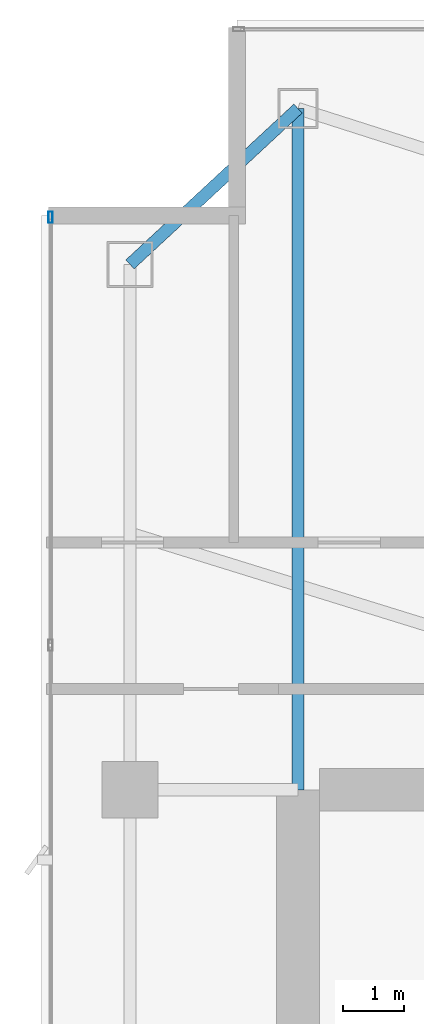
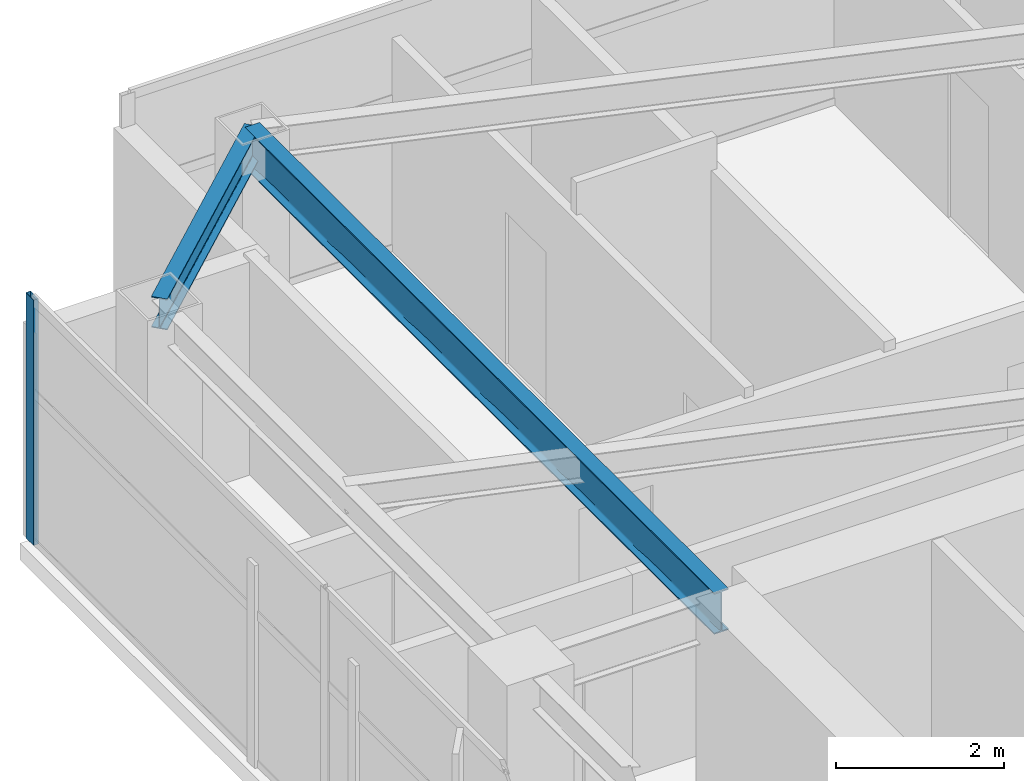
# One storey, part 17 of 29: 2 beams, 1 member, 1 element without a shape of its own.
"""IFC4 building model written with IfcOpenShell, lengths in metres."""

from ifc_helpers import new_model, si_unit, direction, frame, origin, origin_2d, place, context, subcontext, project, spatial, hollow_rectangle, i_section, extrude, material, layer, layer_set, material_profile, profile_set, type_object, element, aggregate, save


model = new_model("IFC4")

# Units and contexts
model_context = context("Model", 3, precision=1e-05, world=origin(), true_north=direction((0.0, 1.0)))
body_context = subcontext(model_context, "Body", "Model", "MODEL_VIEW")
ifc_project = project(units=[si_unit("LENGTHUNIT", "METRE"), si_unit("AREAUNIT", "SQUARE_METRE"), si_unit("VOLUMEUNIT", "CUBIC_METRE"), si_unit("PLANEANGLEUNIT", "RADIAN"), si_unit("MASSUNIT", "GRAM", prefix="KILO")], contexts=[model_context])

# Site, building, storey
site_placement = place(None, origin())
site = spatial("IfcSite", under=ifc_project, at=site_placement, CompositionType="ELEMENT")
building_placement = place(site_placement, origin())
building = spatial("IfcBuilding", under=site, at=building_placement, Name="Calvorn Quay Hotel", CompositionType="ELEMENT")
storey_placement = place(building_placement, frame((0.0, 0.0, 211.0)))
storey = spatial("IfcBuildingStorey", under=building, at=storey_placement, Name="L52", CompositionType="ELEMENT", Elevation=211.0)

# Beams
ifc_material_1 = material(Name="Steel Q355B", Category="steel")
ifc_material_profile_1 = material_profile(ifc_material_1, i_section(OverallWidth=0.199951171875, OverallDepth=0.60009765625, WebThickness=0.010986328125, FlangeThickness=0.01708984375, FilletRadius=0.01806640625, at=origin_2d()), Name="HN600x200x11x17")
ifc_profile_set_1 = profile_set([ifc_material_profile_1], Name="Steel Q355B")
beam_type_1 = type_object("IfcBeamType", Name="BM-GIRD-TYP", PredefinedType="BEAM", material=ifc_profile_set_1)
beam_1_placement = place(storey_placement, frame((4.199951171875, 49.550048828125, 3.239990234375), z_axis=(0.0, -1.0, 0.0), x_axis=(1.0, 0.0, 0.0)))
element("IfcBeam", 1, at=beam_1_placement, inside=storey, type_object=beam_type_1, Name="Beam BG-L52-W5", PredefinedType="BEAM", context=body_context, shape_type="SweptSolid", body=[
    extrude(i_section(OverallWidth=0.199951171875, OverallDepth=0.60009765625, WebThickness=0.010986328125, FlangeThickness=0.01708984375, FilletRadius=0.01806640625, at=origin_2d()), origin(), (0.0, 0.0, 1.0), 11.150146484375),
])
ifc_material_2 = material(Name="Steel Q355B", Category="steel")
ifc_material_profile_2 = material_profile(ifc_material_2, i_section(OverallWidth=0.199951171875, OverallDepth=0.449951171875, WebThickness=0.009033203125, FlangeThickness=0.013916015625, FilletRadius=0.01611328125, at=origin_2d()), Name="HN450x200x9x14")
ifc_profile_set_2 = profile_set([ifc_material_profile_2], Name="Steel Q355B")
beam_type_2 = type_object("IfcBeamType", Name="BM-SPANDREL-Z3", PredefinedType="SPANDREL", material=ifc_profile_set_2)
beam_2_placement = place(storey_placement, frame((1.449951171875, 47.0, 3.31494140625), z_axis=(0.733261665538, 0.679946563969, 0.0), x_axis=(-0.679946563969, 0.733261665538, 0.0)))
element("IfcBeam", 2, at=beam_2_placement, inside=storey, type_object=beam_type_2, Name="Beam BSP-L52-W5", PredefinedType="SPANDREL", context=body_context, shape_type="SweptSolid", body=[
    extrude(i_section(OverallWidth=0.199951171875, OverallDepth=0.449951171875, WebThickness=0.009033203125, FlangeThickness=0.013916015625, FilletRadius=0.01611328125, at=origin_2d()), origin(), (0.0, 0.0, 1.0), 3.75048828125),
])

# Curtain wall, member
ifc_material_3 = material(Name="Champagne Bronze Anodised Aluminium and Low-E Glass", Category="aluminium")
ifc_layer = layer(ifc_material_3, 0.219970703125)
ifc_layer_set = layer_set([ifc_layer], Name="CW-SYS-Z3")
curtain_wall_type = type_object("IfcCurtainWallType", Name="CW-SYS-Z3", PredefinedType="NOTDEFINED", material=ifc_layer_set)
curtain_wall_placement = place(storey_placement, origin())
curtain_wall = element("IfcCurtainWall", 3, at=curtain_wall_placement, inside=storey, type_object=curtain_wall_type, Name="Tower West Curtain Wall (L52)", PredefinedType="NOTDEFINED")
ifc_material_4 = material(Name="Champagne Bronze Anodised Aluminium 6063-T6", Category="aluminium")
ifc_material_profile_3 = material_profile(ifc_material_4, hollow_rectangle(XDim=0.068115234375, YDim=0.18505859375, WallThickness=0.00390625, at=origin_2d()), Name="ALU-M185x68x4")
ifc_profile_set_3 = profile_set([ifc_material_profile_3], Name="Champagne Bronze Anodised Aluminium 6063-T6")
member_type = type_object("IfcMemberType", Name="CW-SYS-Z3-MUL", PredefinedType="MULLION", material=ifc_profile_set_3)
member_placement = place(storey_placement, frame((0.14990234375, 47.77001953125, 0.0), z_axis=(0.0, 0.0, 1.0), x_axis=(-1.0, 0.0, 0.0)))
member = element("IfcMember", 4, at=member_placement, type_object=member_type, Name="CW-L52-W mullion 7", PredefinedType="MULLION", context=body_context, shape_type="SweptSolid", body=[
    extrude(hollow_rectangle(XDim=0.068115234375, YDim=0.18505859375, WallThickness=0.00390625, at=origin_2d()), origin(), (0.0, 0.0, 1.0), 3.56005859375),
])
aggregate(curtain_wall, [member])

save(model, "model.ifc")
